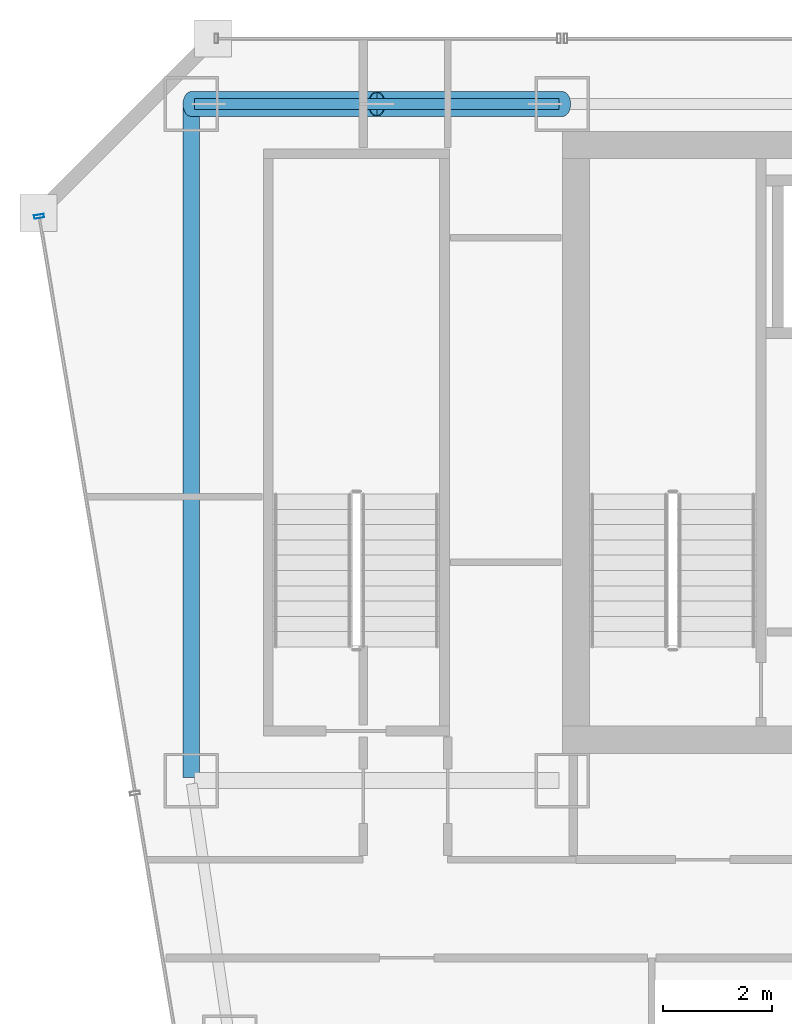
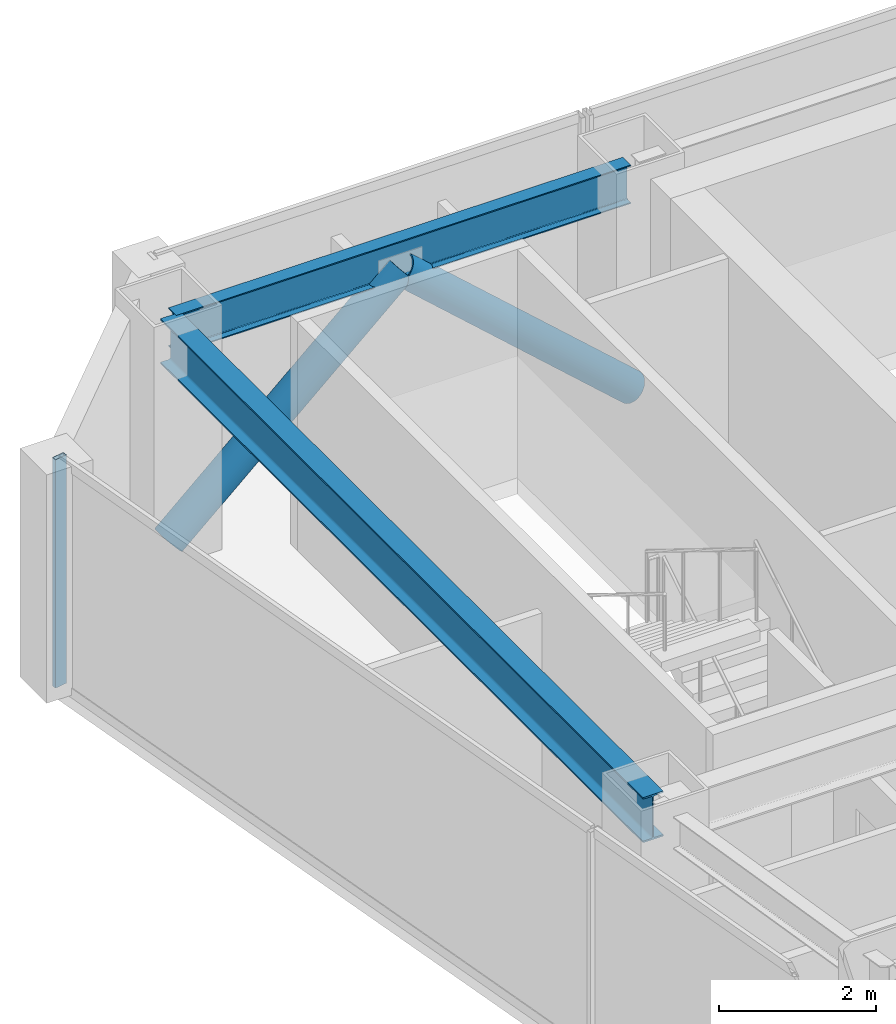
# One storey, part 20 of 37: 3 members, 2 beams, 1 element without a shape of its own.
"""IFC4 building model written with IfcOpenShell, lengths in metres."""

import ifcopenshell
import ifcopenshell.guid

model = None  # the IFC model being written
_history = None  # IfcOwnerHistory: only IFC2X3 demands one
_inside = {}  # id of a spatial element -> (the spatial element, [elements in it])
_under = {}  # id of a project, library or spatial element -> (it, [spatial elements below it])
_declared = {}  # id of a project -> (the project, [libraries it declares])
_typed = {}  # id of a type object -> (the type object, [elements of that type])
_made_of = {}  # id of a material, layer set ... -> (it, [elements and type objects made of it])


def new_model(schema):
    """Start an empty IFC model of exactly this schema.

    Asked for "IFC4X3", IfcOpenShell would pick the latest addendum, in which some entities
    have other attributes; the version numbers below select the first issue.
    IFC2X3 requires an IfcOwnerHistory on every rooted entity: one is made here for all.
    """
    global model, _history
    if schema == "IFC4X3":
        model = ifcopenshell.file(schema_version=(4, 3, 0, 0))
    else:
        model = ifcopenshell.file(schema=schema)
    _inside.clear()
    _under.clear()
    _declared.clear()
    _typed.clear()
    _made_of.clear()
    _history = None
    if model.schema == "IFC2X3":
        org = make("IfcOrganization", Name="unknown")
        user = make(
            "IfcPersonAndOrganization",
            ThePerson=make("IfcPerson", FamilyName="unknown"),
            TheOrganization=org,
        )
        app = make(
            "IfcApplication",
            ApplicationDeveloper=org,
            Version="unknown",
            ApplicationFullName="unknown",
            ApplicationIdentifier="unknown",
        )
        _history = make(
            "IfcOwnerHistory",
            OwningUser=user,
            OwningApplication=app,
            ChangeAction="ADDED",
            CreationDate=0,
        )
    return model


def make(cls, **values):
    """One entity of the class cls with the attributes given. An attribute that is None is left unset."""
    return model.create_entity(
        cls, **{name: value for name, value in values.items() if value is not None}
    )


def rooted(cls, **values):
    """An entity with a GlobalId (a new one), such as an element, a storey or a relation."""
    return make(cls, GlobalId=ifcopenshell.guid.new(), OwnerHistory=_history, **values)


def si_unit(unit_type, name, prefix=None):
    """IfcSIUnit, for example si_unit("LENGTHUNIT", "METRE", prefix="MILLI")."""
    return make("IfcSIUnit", UnitType=unit_type, Prefix=prefix, Name=name)


def assignment(units):
    """IfcUnitAssignment: the units of a project."""
    return None if units is None else make("IfcUnitAssignment", Units=units)


def point(xyz):
    """IfcCartesianPoint."""
    return None if xyz is None else make("IfcCartesianPoint", Coordinates=xyz)


def direction(xyz):
    """IfcDirection."""
    return None if xyz is None else make("IfcDirection", DirectionRatios=xyz)


def frame(location, z_axis=None, x_axis=None):
    """IfcAxis2Placement3D, a coordinate frame: its origin and axes. An axis left out is left unset."""
    return make(
        "IfcAxis2Placement3D",
        Location=point(location),
        Axis=direction(z_axis),
        RefDirection=direction(x_axis),
    )


def frame_2d(location, x_axis=None):
    """IfcAxis2Placement2D, a coordinate frame in the plane: its origin and x axis."""
    return make(
        "IfcAxis2Placement2D", Location=point(location), RefDirection=direction(x_axis)
    )


def origin():
    """The frame at (0, 0, 0) with its axes left unset."""
    return frame((0.0, 0.0, 0.0))


def origin_2d():
    """The frame at (0, 0) in the plane with its x axis left unset."""
    return frame_2d((0.0, 0.0))


def place(relative_to, where):
    """IfcLocalPlacement: puts the frame where relative to a parent placement (None: the world)."""
    return make(
        "IfcLocalPlacement", PlacementRelTo=relative_to, RelativePlacement=where
    )


def context(
    kind, dimensions, precision=None, world=None, true_north=None, identifier=None
):
    """IfcGeometricRepresentationContext, for example the 3D "Model" context."""
    return make(
        "IfcGeometricRepresentationContext",
        ContextIdentifier=identifier,
        ContextType=kind,
        CoordinateSpaceDimension=dimensions,
        Precision=precision,
        WorldCoordinateSystem=world,
        TrueNorth=true_north,
    )


def subcontext(parent, identifier, kind, view, scale=None):
    """IfcGeometricRepresentationSubContext, for example "Body" below "Model"."""
    return make(
        "IfcGeometricRepresentationSubContext",
        ContextIdentifier=identifier,
        ContextType=kind,
        ParentContext=parent,
        TargetScale=scale,
        TargetView=view,
    )


def project(units=None, contexts=None):
    """IfcProject with its units and contexts."""
    return rooted(
        "IfcProject",
        Name="project",
        RepresentationContexts=contexts,
        UnitsInContext=assignment(units),
    )


def spatial(cls, under=None, at=None, **own):
    """A site, building, storey or space (cls), placed at a placement, below another one or the project."""
    s = rooted(cls, ObjectPlacement=at, **own)
    if under is not None:
        _under.setdefault(under.id(), (under, []))[1].append(s)
    return s


def profile(cls, at=None, kind="AREA", **sizes):
    """A parametric profile (cls). Its sizes go by their IFC names, for example OverallWidth=200.0."""
    return make(cls, ProfileType=kind, Position=at, **sizes)


def hollow_rectangle(**sizes):
    """IfcRectangleHollowProfileDef."""
    return profile("IfcRectangleHollowProfileDef", **sizes)


def hollow_circle(**sizes):
    """IfcCircleHollowProfileDef."""
    return profile("IfcCircleHollowProfileDef", **sizes)


def i_section(**sizes):
    """IfcIShapeProfileDef."""
    return profile("IfcIShapeProfileDef", **sizes)


def extrude(swept, where, along, depth):
    """IfcExtrudedAreaSolid: the profile swept, set in the frame where, extruded along a direction by depth."""
    return make(
        "IfcExtrudedAreaSolid",
        SweptArea=swept,
        Position=where,
        ExtrudedDirection=direction(along),
        Depth=depth,
    )


def shape(context_of_items, identifier, shape_type, items):
    """IfcShapeRepresentation: the items that make up one representation, for example the "Body"."""
    return make(
        "IfcShapeRepresentation",
        ContextOfItems=context_of_items,
        RepresentationIdentifier=identifier,
        RepresentationType=shape_type,
        Items=items,
    )


def material(Name=None, Category=None):
    """IfcMaterial."""
    return make("IfcMaterial", Name=Name, Category=Category)


def material_profile(
    of_material, cross_section, Name=None, Category=None, Priority=None
):
    """IfcMaterialProfile: a cross section and its material."""
    return make(
        "IfcMaterialProfile",
        Name=Name,
        Material=of_material,
        Profile=cross_section,
        Priority=Priority,
        Category=Category,
    )


def profile_set(profiles, Name=None, composite=None):
    """IfcMaterialProfileSet."""
    return make(
        "IfcMaterialProfileSet",
        Name=Name,
        MaterialProfiles=profiles,
        CompositeProfile=composite,
    )


def made_of(thing, what):
    """Note that an element or type object is made of a material, layer set ...; save() writes the relation."""
    if what is not None:
        _made_of.setdefault(what.id(), (what, []))[1].append(thing)
    return thing


def type_object(cls, material=None, **own):
    """A type object (cls), such as IfcWallType, which elements share."""
    return made_of(rooted(cls, **own), material)


def element(
    cls,
    number,
    at=None,
    inside=None,
    cuts=None,
    type_object=None,
    material=None,
    context=None,
    identifier="Body",
    shape_type=None,
    held_by="IfcProductDefinitionShape",
    body=None,
    shapes=None,
    **own,
):
    """One element of the class cls, such as IfcWall. Its Tag is "e" and its number.

    at: its placement. inside: the storey or other place that contains it. cuts: it is an
    opening in that element (IfcRelVoidsElement). A single representation is given by context,
    identifier, shape_type and body (its items); several are given by shapes. held_by: the class
    of the entity that holds the representations. save() writes the other relations.
    """
    e = rooted(cls, Tag="e%d" % number, ObjectPlacement=at, **own)
    if body is not None:
        shapes = [shape(context, identifier, shape_type, body)]
    if shapes is not None:
        e.Representation = make(held_by, Representations=shapes)
    if inside is not None:
        _inside.setdefault(inside.id(), (inside, []))[1].append(e)
    if cuts is not None:
        rooted(
            "IfcRelVoidsElement", RelatingBuildingElement=cuts, RelatedOpeningElement=e
        )
    if type_object is not None:
        _typed.setdefault(type_object.id(), (type_object, []))[1].append(e)
    return made_of(e, material)


def aggregate(whole, parts):
    """IfcRelAggregates: a whole, such as a stair, and the parts it consists of."""
    return rooted("IfcRelAggregates", RelatingObject=whole, RelatedObjects=parts)


def save(model, path):
    """Write the relations noted so far, then the file.

    IfcRelAggregates (storeys below a building ...), IfcRelContainedInSpatialStructure (elements
    in a storey), IfcRelDefinesByType, IfcRelAssociatesMaterial and IfcRelDeclares: one each for
    every whole, place, type object, material and project.
    """
    for whole, parts in _under.values():
        aggregate(whole, parts)
    for where, things in _inside.values():
        rooted(
            "IfcRelContainedInSpatialStructure",
            RelatedElements=things,
            RelatingStructure=where,
        )
    for kind, things in _typed.values():
        rooted("IfcRelDefinesByType", RelatedObjects=things, RelatingType=kind)
    for what, things in _made_of.values():
        rooted("IfcRelAssociatesMaterial", RelatedObjects=things, RelatingMaterial=what)
    for by, libraries in _declared.values():
        rooted("IfcRelDeclares", RelatingContext=by, RelatedDefinitions=libraries)
    model.write(path)


model = new_model("IFC4")

# Units and contexts
model_context = context("Model", 3, precision=1e-05, world=origin(), true_north=direction((0.0, 1.0)))
body_context = subcontext(model_context, "Body", "Model", "MODEL_VIEW")
ifc_project = project(units=[si_unit("LENGTHUNIT", "METRE"), si_unit("AREAUNIT", "SQUARE_METRE"), si_unit("VOLUMEUNIT", "CUBIC_METRE"), si_unit("PLANEANGLEUNIT", "RADIAN"), si_unit("MASSUNIT", "GRAM", prefix="KILO")], contexts=[model_context])

# Site, building, storey
site_placement = place(None, origin())
site = spatial("IfcSite", under=ifc_project, at=site_placement, CompositionType="ELEMENT")
building_placement = place(site_placement, origin())
building = spatial("IfcBuilding", under=site, at=building_placement, Name="Saevonmaru Cultural Tower", CompositionType="ELEMENT")
storey_placement = place(building_placement, frame((0.0, 0.0, 144.800048828125)))
storey = spatial("IfcBuildingStorey", under=building, at=storey_placement, Name="L31", CompositionType="ELEMENT", Elevation=144.800048828125)

# Beams
ifc_material_1 = material(Name="Steel SM355", Category="steel")
ifc_material_profile_1 = material_profile(ifc_material_1, i_section(OverallWidth=0.300048828125, OverallDepth=0.699951171875, WebThickness=0.012939453125, FlangeThickness=0.02392578125, FilletRadius=0.02587890625, at=origin_2d()), Name="H-700x300x13x24")
ifc_profile_set_1 = profile_set([ifc_material_profile_1], Name="Steel SM355")
beam_type_1 = type_object("IfcBeamType", Name="BM-G-H700", PredefinedType="BEAM", material=ifc_profile_set_1)
beam_1_placement = place(storey_placement, frame((6.800048828125, 54.739990234375, 3.199951171875), z_axis=(0.0, -1.0, 0.0), x_axis=(1.0, 0.0, 0.0)))
element("IfcBeam", 1, at=beam_1_placement, inside=storey, type_object=beam_type_1, Name="L31 Spine Transverse Girder W", PredefinedType="BEAM", context=body_context, shape_type="SweptSolid", body=[
    extrude(i_section(OverallWidth=0.300048828125, OverallDepth=0.699951171875, WebThickness=0.012939453125, FlangeThickness=0.02392578125, FilletRadius=0.02587890625, at=origin_2d()), origin(), (0.0, 0.0, 1.0), 12.280029296875),
])
ifc_material_profile_2 = material_profile(ifc_material_1, i_section(OverallWidth=0.199951171875, OverallDepth=0.60009765625, WebThickness=0.010986328125, FlangeThickness=0.01708984375, FilletRadius=0.02197265625, at=origin_2d()), Name="H-600x200x11x17")
ifc_profile_set_2 = profile_set([ifc_material_profile_2], Name="Steel SM355")
beam_type_2 = type_object("IfcBeamType", Name="BM-SP-H600", PredefinedType="SPANDREL", material=ifc_profile_set_2)
beam_2_placement = place(storey_placement, frame((6.860107421875, 54.800048828125, 3.25), z_axis=(1.0, 0.0, 0.0), x_axis=(0.0, 1.0, 0.0)))
element("IfcBeam", 2, at=beam_2_placement, inside=storey, type_object=beam_type_2, Name="L31 North Spine Girder 1", PredefinedType="SPANDREL", context=body_context, shape_type="SweptSolid", body=[
    extrude(i_section(OverallWidth=0.199951171875, OverallDepth=0.60009765625, WebThickness=0.010986328125, FlangeThickness=0.01708984375, FilletRadius=0.02197265625, at=origin_2d()), origin(), (0.0, 0.0, 1.0), 6.679931640625),
])

# Members
ifc_material_2 = material(Name="Steel SM420", Category="steel")
ifc_material_profile_3 = material_profile(ifc_material_2, hollow_circle(Radius=0.228515625, WallThickness=0.02001953125, at=origin_2d()), Name="CHS-457.2x20")
ifc_profile_set_3 = profile_set([ifc_material_profile_3], Name="Steel SM420")
member_type_1 = type_object("IfcMemberType", Name="MB-PBR-CHS457", PredefinedType="BRACE", material=ifc_profile_set_3)
for number, where, z_axis, x_axis, name in (
    (3, (6.800048828125, 54.800048828125, 0.02001953125), (0.744366945704, 0.0, 0.667770806597), (0.0, 1.0, 0.0), "L31 Perimeter Braced-Tube Diagonal WN1"),
    (4, (13.60009765625, 54.800048828125, 0.02001953125), (-0.744390779303, 0.0, 0.66774423823), (0.0, -1.0, 0.0), "L31 Perimeter Braced-Tube Diagonal WN2"),
):
    element("IfcMember", number, at=place(storey_placement, frame(where, z_axis=z_axis, x_axis=x_axis)), inside=storey, type_object=member_type_1, Name=name, PredefinedType="BRACE", context=body_context, shape_type="SweptSolid", body=[
        extrude(hollow_circle(Radius=0.228515625, WallThickness=0.02001953125, at=origin_2d()), origin(), (0.0, 0.0, 1.0), 4.567626953125),
    ])

# Curtain wall, member
ifc_material_3 = material(Name="Satin Bronze Anodised Aluminium", Category="aluminium")
curtain_wall_type = type_object("IfcCurtainWallType", Name="CW-TYP-A", PredefinedType="NOTDEFINED", material=ifc_material_3)
curtain_wall_placement = place(storey_placement, origin())
curtain_wall = element("IfcCurtainWall", 5, at=curtain_wall_placement, inside=storey, type_object=curtain_wall_type, Name="L31 Unitised Curtain Wall E12", PredefinedType="NOTDEFINED")
ifc_material_profile_4 = material_profile(ifc_material_3, hollow_rectangle(XDim=0.06494140625, YDim=0.179931640625, WallThickness=0.00390625, at=origin_2d()), Name="ALU-MULL-180x65x4")
ifc_profile_set_4 = profile_set([ifc_material_profile_4], Name="Satin Bronze Anodised Aluminium")
member_type_2 = type_object("IfcMemberType", Name="ML-CW-180x65", PredefinedType="MULLION", material=ifc_profile_set_4)
member_placement = place(storey_placement, frame((4.009765625, 52.74072265625, 0.0), z_axis=(0.0, 0.0, 1.0), x_axis=(0.163998702345, -0.986460554523, 0.0)))
member = element("IfcMember", 6, at=member_placement, type_object=member_type_2, Name="CW-TW-L31-E12 mullion 1", PredefinedType="MULLION", context=body_context, shape_type="SweptSolid", body=[
    extrude(hollow_rectangle(XDim=0.06494140625, YDim=0.179931640625, WallThickness=0.00390625, at=origin_2d()), origin(), (0.0, 0.0, 1.0), 3.550048828125),
])
aggregate(curtain_wall, [member])

save(model, "model.ifc")
